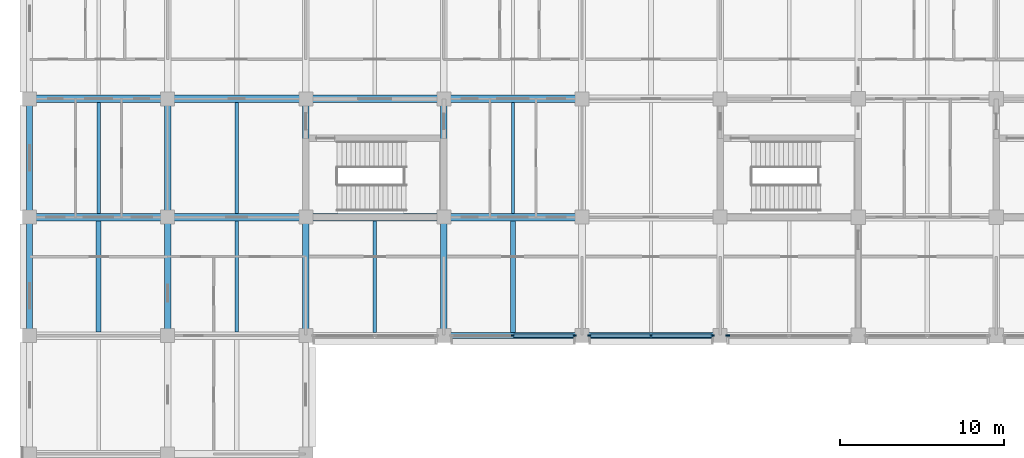
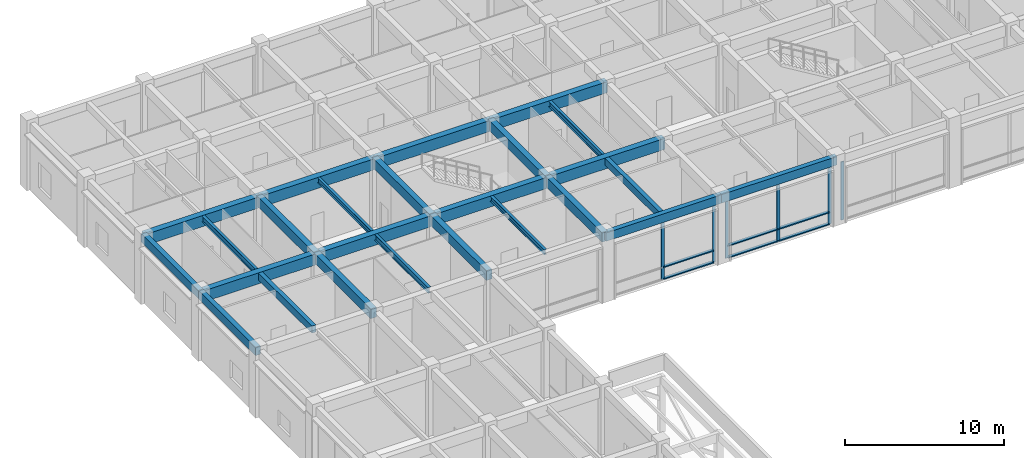
# One storey, part 10 of 68: 25 beams, 15 members, 3 elements without a shape of their own.
"""IFC4 building model written with IfcOpenShell, lengths in metres."""

from ifc_helpers import new_model, si_unit, direction, frame, origin, origin_2d, place, context, subcontext, project, spatial, rectangle, i_section, extrude, material, layer, layer_set, material_profile, profile_set, type_object, element, aggregate, save


model = new_model("IFC4")

# Units and contexts
model_context = context("Model", 3, precision=1e-05, world=origin(), true_north=direction((0.0, 1.0)))
body_context = subcontext(model_context, "Body", "Model", "MODEL_VIEW")
ifc_project = project(units=[si_unit("LENGTHUNIT", "METRE"), si_unit("AREAUNIT", "SQUARE_METRE"), si_unit("VOLUMEUNIT", "CUBIC_METRE"), si_unit("PLANEANGLEUNIT", "RADIAN"), si_unit("MASSUNIT", "GRAM", prefix="KILO")], contexts=[model_context])

# Site, building, storey
site_placement = place(None, origin())
site = spatial("IfcSite", under=ifc_project, at=site_placement, CompositionType="ELEMENT")
building_placement = place(site_placement, origin())
building = spatial("IfcBuilding", under=site, at=building_placement, Name="Chengyuan Square Courthouse", CompositionType="ELEMENT")
storey_placement = place(building_placement, frame((0.0, 0.0, 5.39990234375)))
storey = spatial("IfcBuildingStorey", under=building, at=storey_placement, Name="L02", CompositionType="ELEMENT", Elevation=5.39990234375)

# Beams
ifc_material_1 = material(Name="Concrete C40", Category="concrete")
ifc_material_profile_1 = material_profile(ifc_material_1, rectangle(XDim=0.449951171875, YDim=0.85009765625, at=origin_2d()), Name="RC-BM-450x850")
ifc_profile_set_1 = profile_set([ifc_material_profile_1], Name="Concrete C40")
beam_type_1 = type_object("IfcBeamType", Name="BM-01", PredefinedType="USERDEFINED", material=ifc_profile_set_1)
beam_1_placement = place(storey_placement, frame((0.0, 86.39990234375, 4.695068359375), z_axis=(1.0, 0.0, 0.0), x_axis=(0.0, 1.0, 0.0)))
element("IfcBeam", 1, at=beam_1_placement, inside=storey, type_object=beam_type_1, Name="Girder BM-L02-2139", ObjectType="GIRDER", PredefinedType="USERDEFINED", context=body_context, shape_type="SweptSolid", body=[
    extrude(rectangle(XDim=0.449951171875, YDim=0.85009765625, at=origin_2d()), origin(), (0.0, 0.0, 1.0), 8.39990234375),
])
beam_2_placement = place(storey_placement, frame((8.39990234375, 86.39990234375, 4.695068359375), z_axis=(1.0, 0.0, 0.0), x_axis=(0.0, 1.0, 0.0)))
element("IfcBeam", 2, at=beam_2_placement, inside=storey, type_object=beam_type_1, Name="Girder BM-L02-2140", ObjectType="GIRDER", PredefinedType="USERDEFINED", context=body_context, shape_type="SweptSolid", body=[
    extrude(rectangle(XDim=0.449951171875, YDim=0.85009765625, at=origin_2d()), origin(), (0.0, 0.0, 1.0), 8.400146484375),
])
beam_3_placement = place(storey_placement, frame((16.800048828125, 86.39990234375, 4.695068359375), z_axis=(1.0, 0.0, 0.0), x_axis=(0.0, 1.0, 0.0)))
element("IfcBeam", 3, at=beam_3_placement, inside=storey, type_object=beam_type_1, Name="Girder BM-L02-2141", ObjectType="GIRDER", PredefinedType="USERDEFINED", context=body_context, shape_type="SweptSolid", body=[
    extrude(rectangle(XDim=0.449951171875, YDim=0.85009765625, at=origin_2d()), origin(), (0.0, 0.0, 1.0), 8.39990234375),
])
beam_4_placement = place(storey_placement, frame((25.199951171875, 86.39990234375, 4.695068359375), z_axis=(1.0, 0.0, 0.0), x_axis=(0.0, 1.0, 0.0)))
element("IfcBeam", 4, at=beam_4_placement, inside=storey, type_object=beam_type_1, Name="Girder BM-L02-2142", ObjectType="GIRDER", PredefinedType="USERDEFINED", context=body_context, shape_type="SweptSolid", body=[
    extrude(rectangle(XDim=0.449951171875, YDim=0.85009765625, at=origin_2d()), origin(), (0.0, 0.0, 1.0), 8.400146484375),
])
beam_5_placement = place(storey_placement, frame((0.0, 93.60009765625, 4.695068359375), z_axis=(1.0, 0.0, 0.0), x_axis=(0.0, 1.0, 0.0)))
element("IfcBeam", 5, at=beam_5_placement, inside=storey, type_object=beam_type_1, Name="Girder BM-L02-2159", ObjectType="GIRDER", PredefinedType="USERDEFINED", context=body_context, shape_type="SweptSolid", body=[
    extrude(rectangle(XDim=0.449951171875, YDim=0.85009765625, at=origin_2d()), origin(), (0.0, 0.0, 1.0), 8.39990234375),
])
beam_6_placement = place(storey_placement, frame((8.39990234375, 93.60009765625, 4.695068359375), z_axis=(1.0, 0.0, 0.0), x_axis=(0.0, 1.0, 0.0)))
element("IfcBeam", 6, at=beam_6_placement, inside=storey, type_object=beam_type_1, Name="Girder BM-L02-2160", ObjectType="GIRDER", PredefinedType="USERDEFINED", context=body_context, shape_type="SweptSolid", body=[
    extrude(rectangle(XDim=0.449951171875, YDim=0.85009765625, at=origin_2d()), origin(), (0.0, 0.0, 1.0), 8.400146484375),
])
beam_7_placement = place(storey_placement, frame((16.800048828125, 93.60009765625, 4.695068359375), z_axis=(1.0, 0.0, 0.0), x_axis=(0.0, 1.0, 0.0)))
element("IfcBeam", 7, at=beam_7_placement, inside=storey, type_object=beam_type_1, Name="Girder BM-L02-2161", ObjectType="GIRDER", PredefinedType="USERDEFINED", context=body_context, shape_type="SweptSolid", body=[
    extrude(rectangle(XDim=0.449951171875, YDim=0.85009765625, at=origin_2d()), origin(), (0.0, 0.0, 1.0), 8.39990234375),
])
beam_8_placement = place(storey_placement, frame((25.199951171875, 93.60009765625, 4.695068359375), z_axis=(1.0, 0.0, 0.0), x_axis=(0.0, 1.0, 0.0)))
element("IfcBeam", 8, at=beam_8_placement, inside=storey, type_object=beam_type_1, Name="Girder BM-L02-2162", ObjectType="GIRDER", PredefinedType="USERDEFINED", context=body_context, shape_type="SweptSolid", body=[
    extrude(rectangle(XDim=0.449951171875, YDim=0.85009765625, at=origin_2d()), origin(), (0.0, 0.0, 1.0), 8.400146484375),
])
ifc_material_profile_2 = material_profile(ifc_material_1, rectangle(XDim=0.39990234375, YDim=0.75, at=origin_2d()), Name="RC-BM-400x750")
ifc_profile_set_2 = profile_set([ifc_material_profile_2], Name="Concrete C40")
beam_type_2 = type_object("IfcBeamType", Name="BM-02", PredefinedType="USERDEFINED", material=ifc_profile_set_2)
beam_9_placement = place(storey_placement, frame((8.39990234375, 79.199951171875, 4.7451171875), z_axis=(0.0, 1.0, 0.0), x_axis=(-1.0, 0.0, 0.0)))
element("IfcBeam", 9, at=beam_9_placement, inside=storey, type_object=beam_type_2, Name="Girder BM-L02-2253", ObjectType="GIRDER", PredefinedType="USERDEFINED", context=body_context, shape_type="SweptSolid", body=[
    extrude(rectangle(XDim=0.39990234375, YDim=0.75, at=origin_2d()), origin(), (0.0, 0.0, 1.0), 7.199951171875),
])
beam_10_placement = place(storey_placement, frame((8.39990234375, 86.39990234375, 4.7451171875), z_axis=(0.0, 1.0, 0.0), x_axis=(-1.0, 0.0, 0.0)))
element("IfcBeam", 10, at=beam_10_placement, inside=storey, type_object=beam_type_2, Name="Girder BM-L02-2254", ObjectType="GIRDER", PredefinedType="USERDEFINED", context=body_context, shape_type="SweptSolid", body=[
    extrude(rectangle(XDim=0.39990234375, YDim=0.75, at=origin_2d()), origin(), (0.0, 0.0, 1.0), 7.2001953125),
])
beam_11_placement = place(storey_placement, frame((16.800048828125, 79.199951171875, 4.7451171875), z_axis=(0.0, 1.0, 0.0), x_axis=(-1.0, 0.0, 0.0)))
element("IfcBeam", 11, at=beam_11_placement, inside=storey, type_object=beam_type_2, Name="Girder BM-L02-2268", ObjectType="GIRDER", PredefinedType="USERDEFINED", context=body_context, shape_type="SweptSolid", body=[
    extrude(rectangle(XDim=0.39990234375, YDim=0.75, at=origin_2d()), origin(), (0.0, 0.0, 1.0), 7.199951171875),
])
beam_12_placement = place(storey_placement, frame((16.800048828125, 86.39990234375, 4.7451171875), z_axis=(0.0, 1.0, 0.0), x_axis=(-1.0, 0.0, 0.0)))
element("IfcBeam", 12, at=beam_12_placement, inside=storey, type_object=beam_type_2, Name="Girder BM-L02-2269", ObjectType="GIRDER", PredefinedType="USERDEFINED", context=body_context, shape_type="SweptSolid", body=[
    extrude(rectangle(XDim=0.39990234375, YDim=0.75, at=origin_2d()), origin(), (0.0, 0.0, 1.0), 7.2001953125),
])
beam_13_placement = place(storey_placement, frame((25.199951171875, 79.199951171875, 4.7451171875), z_axis=(0.0, 1.0, 0.0), x_axis=(-1.0, 0.0, 0.0)))
element("IfcBeam", 13, at=beam_13_placement, inside=storey, type_object=beam_type_2, Name="Girder BM-L02-2272", ObjectType="GIRDER", PredefinedType="USERDEFINED", context=body_context, shape_type="SweptSolid", body=[
    extrude(rectangle(XDim=0.39990234375, YDim=0.75, at=origin_2d()), origin(), (0.0, 0.0, 1.0), 7.199951171875),
])
beam_14_placement = place(storey_placement, frame((25.199951171875, 86.39990234375, 4.7451171875), z_axis=(0.0, 1.0, 0.0), x_axis=(-1.0, 0.0, 0.0)))
element("IfcBeam", 14, at=beam_14_placement, inside=storey, type_object=beam_type_2, Name="Girder BM-L02-2273", ObjectType="GIRDER", PredefinedType="USERDEFINED", context=body_context, shape_type="SweptSolid", body=[
    extrude(rectangle(XDim=0.39990234375, YDim=0.75, at=origin_2d()), origin(), (0.0, 0.0, 1.0), 7.2001953125),
])
ifc_material_profile_3 = material_profile(ifc_material_1, rectangle(XDim=0.35009765625, YDim=0.64990234375, at=origin_2d()), Name="RC-BM-350x650")
ifc_profile_set_3 = profile_set([ifc_material_profile_3], Name="Concrete C40")
beam_type_3 = type_object("IfcBeamType", Name="BM-03", PredefinedType="SPANDREL", material=ifc_profile_set_3)
beam_15_placement = place(storey_placement, frame((25.199951171875, 79.199951171875, 4.795166015625), z_axis=(1.0, 0.0, 0.0), x_axis=(0.0, 1.0, 0.0)))
element("IfcBeam", 15, at=beam_15_placement, inside=storey, type_object=beam_type_3, Name="Girder BM-L02-2122", PredefinedType="SPANDREL", context=body_context, shape_type="SweptSolid", body=[
    extrude(rectangle(XDim=0.35009765625, YDim=0.64990234375, at=origin_2d()), origin(), (0.0, 0.0, 1.0), 8.400146484375),
])
beam_16_placement = place(storey_placement, frame((33.60009765625, 79.199951171875, 4.795166015625), z_axis=(1.0, 0.0, 0.0), x_axis=(0.0, 1.0, 0.0)))
element("IfcBeam", 16, at=beam_16_placement, inside=storey, type_object=beam_type_3, Name="Girder BM-L02-2123", PredefinedType="SPANDREL", context=body_context, shape_type="SweptSolid", body=[
    extrude(rectangle(XDim=0.35009765625, YDim=0.64990234375, at=origin_2d()), origin(), (0.0, 0.0, 1.0), 8.39990234375),
])
beam_17_placement = place(storey_placement, frame((0.0, 79.199951171875, 4.795166015625), z_axis=(0.0, 1.0, 0.0), x_axis=(-1.0, 0.0, 0.0)))
element("IfcBeam", 17, at=beam_17_placement, inside=storey, type_object=beam_type_3, Name="Girder BM-L02-2238", PredefinedType="SPANDREL", context=body_context, shape_type="SweptSolid", body=[
    extrude(rectangle(XDim=0.35009765625, YDim=0.64990234375, at=origin_2d()), origin(), (0.0, 0.0, 1.0), 7.199951171875),
])
beam_18_placement = place(storey_placement, frame((0.0, 86.39990234375, 4.795166015625), z_axis=(0.0, 1.0, 0.0), x_axis=(-1.0, 0.0, 0.0)))
element("IfcBeam", 18, at=beam_18_placement, inside=storey, type_object=beam_type_3, Name="Girder BM-L02-2239", PredefinedType="SPANDREL", context=body_context, shape_type="SweptSolid", body=[
    extrude(rectangle(XDim=0.35009765625, YDim=0.64990234375, at=origin_2d()), origin(), (0.0, 0.0, 1.0), 7.2001953125),
])
ifc_material_profile_4 = material_profile(ifc_material_1, rectangle(XDim=0.300048828125, YDim=0.550048828125, at=origin_2d()), Name="RC-BM-300x550")
ifc_profile_set_4 = profile_set([ifc_material_profile_4], Name="Concrete C40")
beam_type_4 = type_object("IfcBeamType", Name="BM-04", PredefinedType="BEAM", material=ifc_profile_set_4)
beam_19_placement = place(storey_placement, frame((4.199951171875, 79.425048828125, 4.84521484375), z_axis=(0.0, 1.0, 0.0), x_axis=(-1.0, 0.0, 0.0)))
element("IfcBeam", 19, at=beam_19_placement, inside=storey, type_object=beam_type_4, Name="Secondary Floor Beam SBM-L02-2401", PredefinedType="BEAM", context=body_context, shape_type="SweptSolid", body=[
    extrude(rectangle(XDim=0.300048828125, YDim=0.550048828125, at=origin_2d()), origin(), (0.0, 0.0, 1.0), 6.75),
])
beam_20_placement = place(storey_placement, frame((29.39990234375, 79.375, 4.84521484375), z_axis=(0.0, 1.0, 0.0), x_axis=(-1.0, 0.0, 0.0)))
element("IfcBeam", 20, at=beam_20_placement, inside=storey, type_object=beam_type_4, Name="Secondary Floor Beam SBM-L02-2422", PredefinedType="BEAM", context=body_context, shape_type="SweptSolid", body=[
    extrude(rectangle(XDim=0.300048828125, YDim=0.550048828125, at=origin_2d()), origin(), (0.0, 0.0, 1.0), 6.800048828125),
])
ifc_material_2 = material(Name="Steel Q355B", Category="steel")
ifc_material_profile_5 = material_profile(ifc_material_2, i_section(OverallWidth=0.199951171875, OverallDepth=0.449951171875, WebThickness=0.009033203125, FlangeThickness=0.013916015625, at=origin_2d()), Name="HN 450x200x9x14")
ifc_profile_set_5 = profile_set([ifc_material_profile_5], Name="Steel Q355B")
beam_type_5 = type_object("IfcBeamType", Name="BM-06", PredefinedType="BEAM", material=ifc_profile_set_5)
for number, where, z_axis, x_axis, name in (
    (21, (4.199951171875, 86.625, 4.89501953125), (0.0, 1.0, 0.0), (-1.0, 0.0, 0.0), "Secondary Floor Beam SBM-L02-2402"),
    (22, (12.60009765625, 79.425048828125, 4.89501953125), (0.0, 1.0, 0.0), (-1.0, 0.0, 0.0), "Secondary Floor Beam SBM-L02-2415"),
    (23, (29.39990234375, 86.625, 4.89501953125), (0.0, 1.0, 0.0), (-1.0, 0.0, 0.0), "Secondary Floor Beam SBM-L02-2423"),
):
    element("IfcBeam", number, at=place(storey_placement, frame(where, z_axis=z_axis, x_axis=x_axis)), inside=storey, type_object=beam_type_5, Name=name, PredefinedType="BEAM", context=body_context, shape_type="SweptSolid", body=[
        extrude(i_section(OverallWidth=0.199951171875, OverallDepth=0.449951171875, WebThickness=0.009033203125, FlangeThickness=0.013916015625, at=origin_2d()), origin(), (0.0, 0.0, 1.0), 6.75),
    ])
ifc_material_profile_6 = material_profile(ifc_material_2, i_section(OverallWidth=0.199951171875, OverallDepth=0.39990234375, WebThickness=0.008056640625, FlangeThickness=0.012939453125, at=origin_2d()), Name="HN 400x200x8x13")
ifc_profile_set_6 = profile_set([ifc_material_profile_6], Name="Steel Q355B")
beam_type_6 = type_object("IfcBeamType", Name="BM-07", PredefinedType="BEAM", material=ifc_profile_set_6)
beam_21_placement = place(storey_placement, frame((12.60009765625, 86.625, 4.920166015625), z_axis=(0.0, 1.0, 0.0), x_axis=(-1.0, 0.0, 0.0)))
element("IfcBeam", 24, at=beam_21_placement, inside=storey, type_object=beam_type_6, Name="Secondary Floor Beam SBM-L02-2416", PredefinedType="BEAM", context=body_context, shape_type="SweptSolid", body=[
    extrude(i_section(OverallWidth=0.199951171875, OverallDepth=0.39990234375, WebThickness=0.008056640625, FlangeThickness=0.012939453125, at=origin_2d()), origin(), (0.0, 0.0, 1.0), 6.75),
])
beam_22_placement = place(storey_placement, frame((21.0, 79.375, 4.920166015625), z_axis=(0.0, 1.0, 0.0), x_axis=(-1.0, 0.0, 0.0)))
element("IfcBeam", 25, at=beam_22_placement, inside=storey, type_object=beam_type_6, Name="Secondary Floor Beam SBM-L02-2419", PredefinedType="BEAM", context=body_context, shape_type="SweptSolid", body=[
    extrude(i_section(OverallWidth=0.199951171875, OverallDepth=0.39990234375, WebThickness=0.008056640625, FlangeThickness=0.012939453125, at=origin_2d()), origin(), (0.0, 0.0, 1.0), 6.800048828125),
])

# Curtain wall, members
ifc_material_3 = material(Name="Unitised Aluminium and Triple Low-E Glass", Category="aluminium")
ifc_layer = layer(ifc_material_3, 0.219970703125)
ifc_layer_set = layer_set([ifc_layer], Name="Unitised Aluminium and Triple Low-E Glass")
curtain_wall_type = type_object("IfcCurtainWallType", Name="CW-04", PredefinedType="USERDEFINED", material=ifc_layer_set)
curtain_wall_1_placement = place(storey_placement, origin())
curtain_wall_1 = element("IfcCurtainWall", 26, at=curtain_wall_1_placement, inside=storey, type_object=curtain_wall_type, Name="Unitised Curtain Wall CW-L02-056", ObjectType="UNITISED CURTAIN WALL", PredefinedType="USERDEFINED")
ifc_material_4 = material(Name="Aluminium 6063-T6 Frame", Category="aluminium")
ifc_material_profile_7 = material_profile(ifc_material_4, rectangle(XDim=0.080078125, YDim=0.219970703125, at=origin_2d()), Name="CW-MUL-80x220")
ifc_profile_set_7 = profile_set([ifc_material_profile_7], Name="Aluminium 6063-T6 Frame")
member_type_1 = type_object("IfcMemberType", Name="CWM-04", PredefinedType="MULLION", material=ifc_profile_set_7)
member_1_placement = place(storey_placement, frame((29.39990234375, 79.199951171875, 0.0), z_axis=(0.0, 0.0, 1.0), x_axis=(0.0, 1.0, 0.0)))
member_1 = element("IfcMember", 27, at=member_1_placement, type_object=member_type_1, Name="CW-04 mullion 2", PredefinedType="MULLION", context=body_context, shape_type="SweptSolid", body=[
    extrude(rectangle(XDim=0.080078125, YDim=0.219970703125, at=origin_2d()), origin(), (0.0, 0.0, 1.0), 4.47021484375),
])
member_2_placement = place(storey_placement, frame((33.135009765625, 79.199951171875, 0.0), z_axis=(0.0, 0.0, 1.0), x_axis=(0.0, 1.0, 0.0)))
member_2 = element("IfcMember", 28, at=member_2_placement, type_object=member_type_1, Name="CW-04 mullion 3", PredefinedType="MULLION", context=body_context, shape_type="SweptSolid", body=[
    extrude(rectangle(XDim=0.080078125, YDim=0.219970703125, at=origin_2d()), origin(), (0.0, 0.0, 1.0), 4.47021484375),
])

curtain_wall_2_placement = place(storey_placement, origin())
curtain_wall_2 = element("IfcCurtainWall", 29, at=curtain_wall_2_placement, inside=storey, type_object=curtain_wall_type, Name="Unitised Curtain Wall CW-L02-057", ObjectType="UNITISED CURTAIN WALL", PredefinedType="USERDEFINED")
member_3_placement = place(storey_placement, frame((34.06494140625, 79.199951171875, 0.0), z_axis=(0.0, 0.0, 1.0), x_axis=(0.0, 1.0, 0.0)))
member_3 = element("IfcMember", 30, at=member_3_placement, type_object=member_type_1, Name="CW-04 mullion 1", PredefinedType="MULLION", context=body_context, shape_type="SweptSolid", body=[
    extrude(rectangle(XDim=0.080078125, YDim=0.219970703125, at=origin_2d()), origin(), (0.0, 0.0, 1.0), 4.47021484375),
])
member_4_placement = place(storey_placement, frame((37.800048828125, 79.199951171875, 0.0), z_axis=(0.0, 0.0, 1.0), x_axis=(0.0, 1.0, 0.0)))
member_4 = element("IfcMember", 31, at=member_4_placement, type_object=member_type_1, Name="CW-04 mullion 2", PredefinedType="MULLION", context=body_context, shape_type="SweptSolid", body=[
    extrude(rectangle(XDim=0.080078125, YDim=0.219970703125, at=origin_2d()), origin(), (0.0, 0.0, 1.0), 4.47021484375),
])
member_5_placement = place(storey_placement, frame((41.534912109375, 79.199951171875, 0.0), z_axis=(0.0, 0.0, 1.0), x_axis=(0.0, 1.0, 0.0)))
member_5 = element("IfcMember", 32, at=member_5_placement, type_object=member_type_1, Name="CW-04 mullion 3", PredefinedType="MULLION", context=body_context, shape_type="SweptSolid", body=[
    extrude(rectangle(XDim=0.080078125, YDim=0.219970703125, at=origin_2d()), origin(), (0.0, 0.0, 1.0), 4.47021484375),
])

# Curtain wall, member
curtain_wall_3_placement = place(storey_placement, origin())
curtain_wall_3 = element("IfcCurtainWall", 33, at=curtain_wall_3_placement, inside=storey, type_object=curtain_wall_type, Name="Unitised Curtain Wall CW-L02-058", ObjectType="UNITISED CURTAIN WALL", PredefinedType="USERDEFINED")
member_6_placement = place(storey_placement, frame((42.465087890625, 79.199951171875, 0.0), z_axis=(0.0, 0.0, 1.0), x_axis=(0.0, 1.0, 0.0)))
member_6 = element("IfcMember", 34, at=member_6_placement, type_object=member_type_1, Name="CW-04 mullion 1", PredefinedType="MULLION", context=body_context, shape_type="SweptSolid", body=[
    extrude(rectangle(XDim=0.080078125, YDim=0.219970703125, at=origin_2d()), origin(), (0.0, 0.0, 1.0), 4.47021484375),
])
aggregate(curtain_wall_3, [member_6])

# Member
ifc_material_profile_8 = material_profile(ifc_material_4, rectangle(XDim=0.219970703125, YDim=0.080078125, at=origin_2d()), Name="CW-TRN-80x180")
ifc_profile_set_8 = profile_set([ifc_material_profile_8], Name="Aluminium 6063-T6 Frame")
member_type_2 = type_object("IfcMemberType", Name="CWT-04", PredefinedType="USERDEFINED", material=ifc_profile_set_8)
member_7_placement = place(storey_placement, frame((29.43994140625, 79.199951171875, 0.0400390625), z_axis=(1.0, 0.0, 0.0), x_axis=(0.0, 1.0, 0.0)))
member_7 = element("IfcMember", 35, at=member_7_placement, type_object=member_type_2, Name="CW-04 transom 2.1", ObjectType="TRANSOM", PredefinedType="USERDEFINED", context=body_context, shape_type="SweptSolid", body=[
    extrude(rectangle(XDim=0.219970703125, YDim=0.080078125, at=origin_2d()), origin(), (0.0, 0.0, 1.0), 3.655029296875),
])

member_8_placement = place(storey_placement, frame((29.43994140625, 79.199951171875, 0.9501953125), z_axis=(1.0, 0.0, 0.0), x_axis=(0.0, 1.0, 0.0)))
member_8 = element("IfcMember", 36, at=member_8_placement, type_object=member_type_2, Name="CW-04 transom 2.2", ObjectType="TRANSOM", PredefinedType="USERDEFINED", context=body_context, shape_type="SweptSolid", body=[
    extrude(rectangle(XDim=0.219970703125, YDim=0.080078125, at=origin_2d()), origin(), (0.0, 0.0, 1.0), 3.655029296875),
])

member_9_placement = place(storey_placement, frame((29.43994140625, 79.199951171875, 4.43017578125), z_axis=(1.0, 0.0, 0.0), x_axis=(0.0, 1.0, 0.0)))
member_9 = element("IfcMember", 37, at=member_9_placement, type_object=member_type_2, Name="CW-04 transom 2.3", ObjectType="TRANSOM", PredefinedType="USERDEFINED", context=body_context, shape_type="SweptSolid", body=[
    extrude(rectangle(XDim=0.219970703125, YDim=0.080078125, at=origin_2d()), origin(), (0.0, 0.0, 1.0), 3.655029296875),
])

aggregate(curtain_wall_1, [member_1, member_2, member_7, member_8, member_9])

member_10_placement = place(storey_placement, frame((34.10498046875, 79.199951171875, 0.0400390625), z_axis=(1.0, 0.0, 0.0), x_axis=(0.0, 1.0, 0.0)))
member_10 = element("IfcMember", 38, at=member_10_placement, type_object=member_type_2, Name="CW-04 transom 1.1", ObjectType="TRANSOM", PredefinedType="USERDEFINED", context=body_context, shape_type="SweptSolid", body=[
    extrude(rectangle(XDim=0.219970703125, YDim=0.080078125, at=origin_2d()), origin(), (0.0, 0.0, 1.0), 3.655029296875),
])

member_11_placement = place(storey_placement, frame((34.10498046875, 79.199951171875, 0.9501953125), z_axis=(1.0, 0.0, 0.0), x_axis=(0.0, 1.0, 0.0)))
member_11 = element("IfcMember", 39, at=member_11_placement, type_object=member_type_2, Name="CW-04 transom 1.2", ObjectType="TRANSOM", PredefinedType="USERDEFINED", context=body_context, shape_type="SweptSolid", body=[
    extrude(rectangle(XDim=0.219970703125, YDim=0.080078125, at=origin_2d()), origin(), (0.0, 0.0, 1.0), 3.655029296875),
])

member_12_placement = place(storey_placement, frame((34.10498046875, 79.199951171875, 4.43017578125), z_axis=(1.0, 0.0, 0.0), x_axis=(0.0, 1.0, 0.0)))
member_12 = element("IfcMember", 40, at=member_12_placement, type_object=member_type_2, Name="CW-04 transom 1.3", ObjectType="TRANSOM", PredefinedType="USERDEFINED", context=body_context, shape_type="SweptSolid", body=[
    extrude(rectangle(XDim=0.219970703125, YDim=0.080078125, at=origin_2d()), origin(), (0.0, 0.0, 1.0), 3.655029296875),
])

member_13_placement = place(storey_placement, frame((37.840087890625, 79.199951171875, 0.0400390625), z_axis=(1.0, 0.0, 0.0), x_axis=(0.0, 1.0, 0.0)))
member_13 = element("IfcMember", 41, at=member_13_placement, type_object=member_type_2, Name="CW-04 transom 2.1", ObjectType="TRANSOM", PredefinedType="USERDEFINED", context=body_context, shape_type="SweptSolid", body=[
    extrude(rectangle(XDim=0.219970703125, YDim=0.080078125, at=origin_2d()), origin(), (0.0, 0.0, 1.0), 3.655029296875),
])

member_14_placement = place(storey_placement, frame((37.840087890625, 79.199951171875, 0.9501953125), z_axis=(1.0, 0.0, 0.0), x_axis=(0.0, 1.0, 0.0)))
member_14 = element("IfcMember", 42, at=member_14_placement, type_object=member_type_2, Name="CW-04 transom 2.2", ObjectType="TRANSOM", PredefinedType="USERDEFINED", context=body_context, shape_type="SweptSolid", body=[
    extrude(rectangle(XDim=0.219970703125, YDim=0.080078125, at=origin_2d()), origin(), (0.0, 0.0, 1.0), 3.655029296875),
])

member_15_placement = place(storey_placement, frame((37.840087890625, 79.199951171875, 4.43017578125), z_axis=(1.0, 0.0, 0.0), x_axis=(0.0, 1.0, 0.0)))
member_15 = element("IfcMember", 43, at=member_15_placement, type_object=member_type_2, Name="CW-04 transom 2.3", ObjectType="TRANSOM", PredefinedType="USERDEFINED", context=body_context, shape_type="SweptSolid", body=[
    extrude(rectangle(XDim=0.219970703125, YDim=0.080078125, at=origin_2d()), origin(), (0.0, 0.0, 1.0), 3.655029296875),
])

aggregate(curtain_wall_2, [member_3, member_4, member_5, member_10, member_11, member_12, member_13, member_14, member_15])

save(model, "model.ifc")
